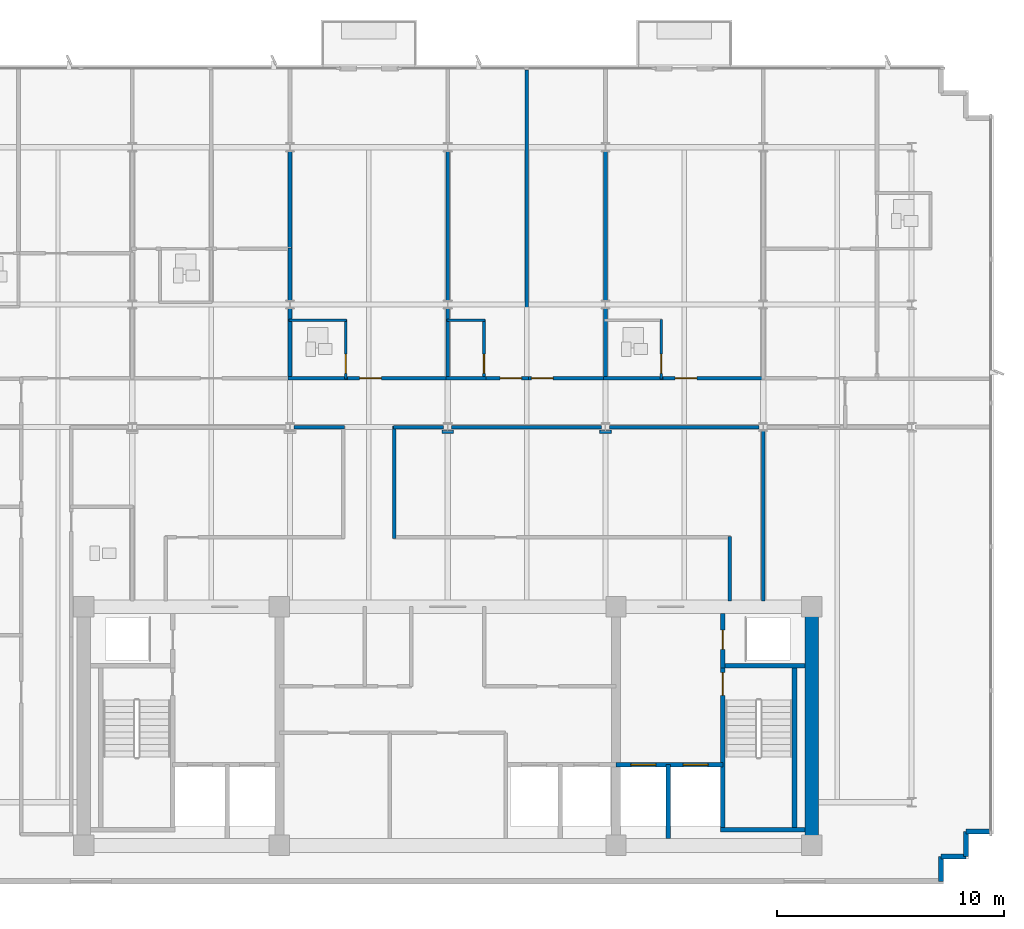
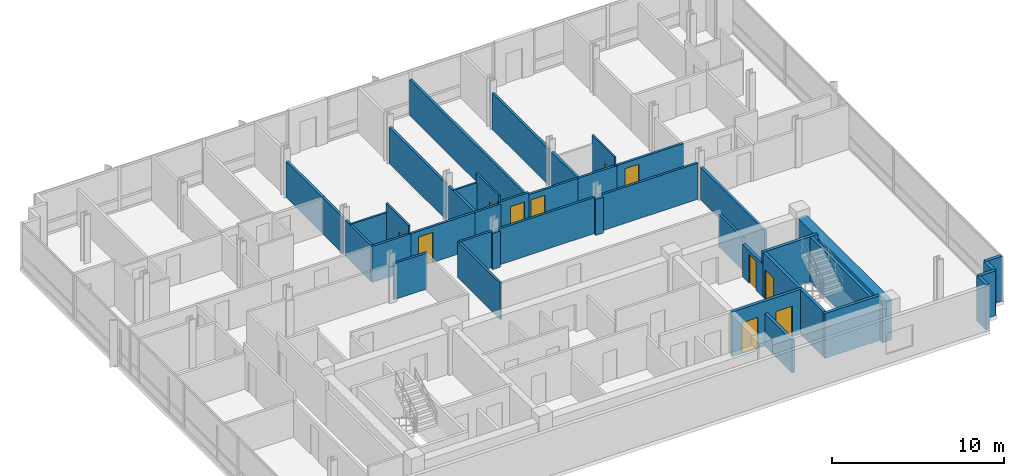
# One storey, part 10 of 14: 41 walls, 11 doors, 11 openings.
"""IFC4 building model written with IfcOpenShell, lengths in metres."""

from ifc_helpers import new_model, si_unit, direction, frame, frame_2d, origin, place, context, subcontext, project, spatial, rectangle, extrude, material, layer, layer_set, type_object, element, fill, save


model = new_model("IFC4")

# Units and contexts
model_context = context("Model", 3, precision=1e-05, world=origin(), true_north=direction((0.0, 1.0)))
body_context = subcontext(model_context, "Body", "Model", "MODEL_VIEW")
ifc_project = project(units=[si_unit("LENGTHUNIT", "METRE"), si_unit("AREAUNIT", "SQUARE_METRE"), si_unit("VOLUMEUNIT", "CUBIC_METRE"), si_unit("PLANEANGLEUNIT", "RADIAN"), si_unit("MASSUNIT", "GRAM", prefix="KILO")], contexts=[model_context])

# Site, building, storey
site_placement = place(None, origin())
site = spatial("IfcSite", under=ifc_project, at=site_placement, CompositionType="ELEMENT")
building_placement = place(site_placement, origin())
building = spatial("IfcBuilding", under=site, at=building_placement, Name="Solmavex Isthmus Hotel", CompositionType="ELEMENT")
storey_placement = place(building_placement, frame((0.0, 0.0, 252.300048828125)))
storey = spatial("IfcBuildingStorey", under=building, at=storey_placement, Name="L68", CompositionType="ELEMENT", Elevation=252.300048828125)

# Walls
ifc_material_1 = material(Name="Precast Concrete C40/50", Category="concrete")
ifc_layer_1 = layer(ifc_material_1, 0.25)
ifc_layer_set_1 = layer_set([ifc_layer_1], Name="Precast Concrete C40/50")
wall_type_1 = type_object("IfcWallType", Name="EW-TWR-250", PredefinedType="STANDARD", material=ifc_layer_set_1)
wall_1_placement = place(storey_placement, frame((23.889892578125, -12.389892578125, 0.0), z_axis=(0.0, 0.0, 1.0), x_axis=(-1.0, 0.0, 0.0)))
element("IfcWall", 1, at=wall_1_placement, inside=storey, type_object=wall_type_1, Name="Serrated Corner Facade Panel L68-16", PredefinedType="STANDARD", context=body_context, shape_type="SweptSolid", body=[
    extrude(rectangle(XDim=1.099853515625, YDim=0.219970703125, at=frame_2d((0.5498046875, 0.0))), origin(), (0.0, 0.0, 1.0), 3.18994140625),
])
for number, where, z_axis, x_axis, name in (
    (2, (22.7900390625, -12.389892578125, 0.0), (0.0, 0.0, 1.0), (0.0, -1.0, 0.0), "Serrated Corner Facade Panel L68-17"),
    (3, (22.7900390625, -13.489990234375, 0.0), (0.0, 0.0, 1.0), (-1.0, 0.0, 0.0), "Serrated Corner Facade Panel L68-18"),
    (4, (21.68994140625, -13.489990234375, 0.0), (0.0, 0.0, 1.0), (0.0, -1.0, 0.0), "Serrated Corner Facade Panel L68-19"),
):
    element("IfcWall", number, at=place(storey_placement, frame(where, z_axis=z_axis, x_axis=x_axis)), inside=storey, type_object=wall_type_1, Name=name, PredefinedType="STANDARD", context=body_context, shape_type="SweptSolid", body=[
        extrude(rectangle(XDim=1.10009765625, YDim=0.219970703125, at=frame_2d((0.550048828125, 0.0))), origin(), (0.0, 0.0, 1.0), 3.18994140625),
    ])
ifc_material_2 = material(Name="Gypsum plasterboard lining", Category="gypsum")
ifc_layer_2 = layer(ifc_material_2, 0.159912109375)
ifc_layer_set_2 = layer_set([ifc_layer_2], Name="Gypsum plasterboard lining")
wall_type_2 = type_object("IfcWallType", Name="IW-COMP-160", PredefinedType="PARTITIONING", material=ifc_layer_set_2)
wall_2_placement = place(storey_placement, frame((-6.93603515625, 10.613037109375, 0.0), z_axis=(0.0, 0.0, 1.0), x_axis=(0.0, -1.0, 0.0)))
element("IfcWall", 5, at=wall_2_placement, inside=storey, type_object=wall_type_2, Name="Interior Partition Wall W-L68-P055", PredefinedType="PARTITIONING", context=body_context, shape_type="SweptSolid", body=[
    extrude(rectangle(XDim=3.10302734375, YDim=0.159912109375, at=frame_2d((1.551513671875, 0.0))), origin(), (0.0, 0.0, 1.0), 2.572265625),
])
wall_3_placement = place(storey_placement, frame((-6.93603515625, 13.278076171875, 0.0), z_axis=(0.0, 0.0, 1.0), x_axis=(0.0, -1.0, 0.0)))
element("IfcWall", 6, at=wall_3_placement, inside=storey, type_object=wall_type_2, Name="Interior Partition Wall W-L68-P056", PredefinedType="PARTITIONING", context=body_context, shape_type="SweptSolid", body=[
    extrude(rectangle(XDim=2.315185546875, YDim=0.159912109375, at=frame_2d((1.15771484375, 0.0))), origin(), (0.0, 0.0, 1.0), 2.572265625),
])
wall_4_placement = place(storey_placement, frame((-6.93603515625, 17.52490234375, 0.0), z_axis=(0.0, 0.0, 1.0), x_axis=(0.0, -1.0, 0.0)))
element("IfcWall", 7, at=wall_4_placement, inside=storey, type_object=wall_type_2, Name="Interior Partition Wall W-L68-P059", PredefinedType="PARTITIONING", context=body_context, shape_type="SweptSolid", body=[
    extrude(rectangle(XDim=4.326904296875, YDim=0.159912109375, at=frame_2d((2.16357421875, 0.0))), origin(), (0.0, 0.0, 1.0), 2.572265625),
])
wall_5_placement = place(storey_placement, frame((0.0, 10.613037109375, 0.0), z_axis=(0.0, 0.0, 1.0), x_axis=(0.0, -1.0, 0.0)))
element("IfcWall", 8, at=wall_5_placement, inside=storey, type_object=wall_type_2, Name="Interior Partition Wall W-L68-P063", PredefinedType="PARTITIONING", context=body_context, shape_type="SweptSolid", body=[
    extrude(rectangle(XDim=3.10302734375, YDim=0.159912109375, at=frame_2d((1.551513671875, 0.0))), origin(), (0.0, 0.0, 1.0), 2.572265625),
])
wall_6_placement = place(storey_placement, frame((0.0, 17.52490234375, 0.0), z_axis=(0.0, 0.0, 1.0), x_axis=(0.0, -1.0, 0.0)))
element("IfcWall", 9, at=wall_6_placement, inside=storey, type_object=wall_type_2, Name="Interior Partition Wall W-L68-P064", PredefinedType="PARTITIONING", context=body_context, shape_type="SweptSolid", body=[
    extrude(rectangle(XDim=6.56201171875, YDim=0.159912109375, at=frame_2d((3.281005859375, 0.0))), origin(), (0.0, 0.0, 1.0), 2.572265625),
])
wall_7_placement = place(storey_placement, frame((3.468017578125, 21.10009765625, 0.0), z_axis=(0.0, 0.0, 1.0), x_axis=(0.0, -1.0, 0.0)))
element("IfcWall", 10, at=wall_7_placement, inside=storey, type_object=wall_type_2, Name="Interior Partition Wall W-L68-P068", PredefinedType="PARTITIONING", context=body_context, shape_type="SweptSolid", body=[
    extrude(rectangle(XDim=13.590087890625, YDim=0.159912109375, at=frame_2d((6.794921875, 0.0))), origin(), (0.0, 0.0, 1.0), 2.557373046875),
])
wall_8_placement = place(storey_placement, frame((6.93603515625, 10.613037109375, 0.0), z_axis=(0.0, 0.0, 1.0), x_axis=(0.0, -1.0, 0.0)))
element("IfcWall", 11, at=wall_8_placement, inside=storey, type_object=wall_type_2, Name="Interior Partition Wall W-L68-P069", PredefinedType="PARTITIONING", context=body_context, shape_type="SweptSolid", body=[
    extrude(rectangle(XDim=3.10302734375, YDim=0.159912109375, at=frame_2d((1.551513671875, 0.0))), origin(), (0.0, 0.0, 1.0), 2.572265625),
])
wall_9_placement = place(storey_placement, frame((6.93603515625, 17.52490234375, 0.0), z_axis=(0.0, 0.0, 1.0), x_axis=(0.0, -1.0, 0.0)))
element("IfcWall", 12, at=wall_9_placement, inside=storey, type_object=wall_type_2, Name="Interior Partition Wall W-L68-P070", PredefinedType="PARTITIONING", context=body_context, shape_type="SweptSolid", body=[
    extrude(rectangle(XDim=6.56201171875, YDim=0.159912109375, at=frame_2d((3.281005859375, 0.0))), origin(), (0.0, 0.0, 1.0), 2.572265625),
])
wall_10_placement = place(storey_placement, frame((13.8720703125, 5.22509765625, 0.0), z_axis=(0.0, 0.0, 1.0), x_axis=(0.0, -1.0, 0.0)))
element("IfcWall", 13, at=wall_10_placement, inside=storey, type_object=wall_type_2, Name="Interior Partition Wall W-L68-P095", PredefinedType="PARTITIONING", context=body_context, shape_type="SweptSolid", body=[
    extrude(rectangle(XDim=7.465087890625, YDim=0.159912109375, at=frame_2d((3.732421875, 0.0))), origin(), (0.0, 0.0, 1.0), 2.324951171875),
])

# Wall, opening, door
ifc_layer_3 = layer(ifc_material_2, 0.14990234375)
ifc_layer_set_3 = layer_set([ifc_layer_3], Name="Gypsum plasterboard lining")
wall_type_3 = type_object("IfcWallType", Name="IW-CORR-150", PredefinedType="PARTITIONING", material=ifc_layer_set_3)
wall_11_placement = place(storey_placement, frame((-4.568115234375, 7.550048828125, 0.0), z_axis=(0.0, 0.0, 1.0), x_axis=(1.0, 0.0, 0.0)))
wall_11 = element("IfcWall", 14, at=wall_11_placement, inside=storey, type_object=wall_type_3, Name="Interior Partition Wall W-L68-P003", PredefinedType="PARTITIONING", context=body_context, shape_type="SweptSolid", body=[
    extrude(rectangle(XDim=4.650146484375, YDim=0.14990234375, at=frame_2d((2.3251953125, 0.0))), origin(), (0.0, 0.0, 1.0), 2.572265625),
])
opening_1_placement = place(wall_11_placement, frame((0.698486328125, 0.0, 0.0)))
opening_1 = element("IfcOpeningElement", 15, at=opening_1_placement, cuts=wall_11, Name="Opening ID-C095", PredefinedType="OPENING", context=body_context, shape_type="SweptSolid", body=[
    extrude(rectangle(XDim=0.949951171875, YDim=2.14990234375, at=frame_2d((0.47509765625, 1.074951171875))), frame((0.0, 0.0849609375, 0.0), z_axis=(0.0, -1.0, 0.0), x_axis=(1.0, 0.0, 0.0)), (0.0, 0.0, 1.0), 0.169921875),
])
ifc_material_3 = material(Name="Hardwood timber", Category="wood")
door_type_1 = type_object("IfcDoorType", Name="IDR-FD60-0950", OperationType="NOTDEFINED", PredefinedType="DOOR", material=ifc_material_3)
door_1_placement = place(opening_1_placement, origin())
door_1 = element("IfcDoor", 16, at=door_1_placement, inside=storey, type_object=door_type_1, Name="Premier Suite Door L68-09", OperationType="SINGLE_SWING_LEFT", OverallHeight=2.14990234375, OverallWidth=0.949951171875, PredefinedType="DOOR", context=body_context, shape_type="SweptSolid", body=[
    extrude(rectangle(XDim=0.949951171875, YDim=2.14990234375, at=frame_2d((0.47509765625, 1.074951171875))), frame((0.0, 0.02490234375, 0.0), z_axis=(0.0, -1.0, 0.0), x_axis=(1.0, 0.0, 0.0)), (0.0, 0.0, 1.0), 0.050048828125),
])
fill(opening_1, door_1)

# Wall
wall_12_placement = place(storey_placement, frame((-7.01806640625, 7.550048828125, 0.0), z_axis=(0.0, 0.0, 1.0), x_axis=(1.0, 0.0, 0.0)))
element("IfcWall", 17, at=wall_12_placement, inside=storey, type_object=wall_type_3, Name="Interior Partition Wall W-L68-P004", PredefinedType="PARTITIONING", context=body_context, shape_type="SweptSolid", body=[
    extrude(rectangle(XDim=2.614013671875, YDim=0.14990234375, at=frame_2d((1.30712890625, 0.0))), origin(), (0.0, 0.0, 1.0), 2.572265625),
])

# Wall, opening, door
wall_13_placement = place(storey_placement, frame((1.51318359375, 7.550048828125, 0.0), z_axis=(0.0, 0.0, 1.0), x_axis=(1.0, 0.0, 0.0)))
wall_13 = element("IfcWall", 18, at=wall_13_placement, inside=storey, type_object=wall_type_3, Name="Interior Partition Wall W-L68-P005", PredefinedType="PARTITIONING", context=body_context, shape_type="SweptSolid", body=[
    extrude(rectangle(XDim=2.036865234375, YDim=0.14990234375, at=frame_2d((1.0185546875, 0.0))), origin(), (0.0, 0.0, 1.0), 2.718017578125),
])
opening_2_placement = place(wall_13_placement, frame((0.789794921875, 0.0, 0.0)))
opening_2 = element("IfcOpeningElement", 19, at=opening_2_placement, cuts=wall_13, Name="Opening ID-C095", PredefinedType="OPENING", context=body_context, shape_type="SweptSolid", body=[
    extrude(rectangle(XDim=0.949951171875, YDim=2.14990234375, at=frame_2d((0.47509765625, 1.074951171875))), frame((0.0, 0.0849609375, 0.0), z_axis=(0.0, -1.0, 0.0), x_axis=(1.0, 0.0, 0.0)), (0.0, 0.0, 1.0), 0.169921875),
])
door_2_placement = place(opening_2_placement, origin())
door_2 = element("IfcDoor", 20, at=door_2_placement, inside=storey, type_object=door_type_1, Name="Diplomatic Suite Door L68-11", OperationType="SINGLE_SWING_LEFT", OverallHeight=2.14990234375, OverallWidth=0.949951171875, PredefinedType="DOOR", context=body_context, shape_type="SweptSolid", body=[
    extrude(rectangle(XDim=0.949951171875, YDim=2.14990234375, at=frame_2d((0.47509765625, 1.074951171875))), frame((0.0, 0.02490234375, 0.0), z_axis=(0.0, -1.0, 0.0), x_axis=(1.0, 0.0, 0.0)), (0.0, 0.0, 1.0), 0.050048828125),
])
fill(opening_2, door_2)

# Wall
wall_14_placement = place(storey_placement, frame((-0.08203125, 7.550048828125, 0.0), z_axis=(0.0, 0.0, 1.0), x_axis=(1.0, 0.0, 0.0)))
element("IfcWall", 21, at=wall_14_placement, inside=storey, type_object=wall_type_3, Name="Interior Partition Wall W-L68-P006", PredefinedType="PARTITIONING", context=body_context, shape_type="SweptSolid", body=[
    extrude(rectangle(XDim=1.75927734375, YDim=0.14990234375, at=frame_2d((0.879638671875, 0.0))), origin(), (0.0, 0.0, 1.0), 2.572265625),
])

# Wall, opening, door
wall_15_placement = place(storey_placement, frame((3.385986328125, 7.550048828125, 0.0), z_axis=(0.0, 0.0, 1.0), x_axis=(1.0, 0.0, 0.0)))
wall_15 = element("IfcWall", 22, at=wall_15_placement, inside=storey, type_object=wall_type_3, Name="Interior Partition Wall W-L68-P007", PredefinedType="PARTITIONING", context=body_context, shape_type="SweptSolid", body=[
    extrude(rectangle(XDim=3.632080078125, YDim=0.14990234375, at=frame_2d((1.81591796875, 0.0))), origin(), (0.0, 0.0, 1.0), 2.572265625),
])
opening_3_placement = place(wall_15_placement, frame((0.296630859375, 0.0, 0.0)))
opening_3 = element("IfcOpeningElement", 23, at=opening_3_placement, cuts=wall_15, Name="Opening ID-C095", PredefinedType="OPENING", context=body_context, shape_type="SweptSolid", body=[
    extrude(rectangle(XDim=0.949951171875, YDim=2.14990234375, at=frame_2d((0.47509765625, 1.074951171875))), frame((0.0, 0.0849609375, 0.0), z_axis=(0.0, -1.0, 0.0), x_axis=(1.0, 0.0, 0.0)), (0.0, 0.0, 1.0), 0.169921875),
])
door_3_placement = place(opening_3_placement, origin())
door_3 = element("IfcDoor", 24, at=door_3_placement, inside=storey, type_object=door_type_1, Name="Hospitality Club Lounge Door L68-13", OperationType="SINGLE_SWING_LEFT", OverallHeight=2.14990234375, OverallWidth=0.949951171875, PredefinedType="DOOR", context=body_context, shape_type="SweptSolid", body=[
    extrude(rectangle(XDim=0.949951171875, YDim=2.14990234375, at=frame_2d((0.47509765625, 1.074951171875))), frame((0.0, 0.02490234375, 0.0), z_axis=(0.0, -1.0, 0.0), x_axis=(1.0, 0.0, 0.0)), (0.0, 0.0, 1.0), 0.050048828125),
])
fill(opening_3, door_3)

wall_16_placement = place(storey_placement, frame((9.303955078125, 7.550048828125, 0.0), z_axis=(0.0, 0.0, 1.0), x_axis=(1.0, 0.0, 0.0)))
wall_16 = element("IfcWall", 25, at=wall_16_placement, inside=storey, type_object=wall_type_3, Name="Interior Partition Wall W-L68-P008", PredefinedType="PARTITIONING", context=body_context, shape_type="SweptSolid", body=[
    extrude(rectangle(XDim=4.650146484375, YDim=0.14990234375, at=frame_2d((2.3251953125, 0.0))), origin(), (0.0, 0.0, 1.0), 2.572265625),
])
opening_4_placement = place(wall_16_placement, frame((0.698486328125, 0.0, 0.0)))
opening_4 = element("IfcOpeningElement", 26, at=opening_4_placement, cuts=wall_16, Name="Opening ID-C095", PredefinedType="OPENING", context=body_context, shape_type="SweptSolid", body=[
    extrude(rectangle(XDim=0.949951171875, YDim=2.14990234375, at=frame_2d((0.47509765625, 1.074951171875))), frame((0.0, 0.0849609375, 0.0), z_axis=(0.0, -1.0, 0.0), x_axis=(1.0, 0.0, 0.0)), (0.0, 0.0, 1.0), 0.169921875),
])
door_4_placement = place(opening_4_placement, origin())
door_4 = element("IfcDoor", 27, at=door_4_placement, inside=storey, type_object=door_type_1, Name="Premier Suite Door L68-14", OperationType="SINGLE_SWING_RIGHT", OverallHeight=2.14990234375, OverallWidth=0.949951171875, PredefinedType="DOOR", context=body_context, shape_type="SweptSolid", body=[
    extrude(rectangle(XDim=0.949951171875, YDim=2.14990234375, at=frame_2d((0.47509765625, 1.074951171875))), frame((0.0, 0.02490234375, 0.0), z_axis=(0.0, -1.0, 0.0), x_axis=(1.0, 0.0, 0.0)), (0.0, 0.0, 1.0), 0.050048828125),
])
fill(opening_4, door_4)

# Walls
wall_17_placement = place(storey_placement, frame((6.85400390625, 7.550048828125, 0.0), z_axis=(0.0, 0.0, 1.0), x_axis=(1.0, 0.0, 0.0)))
element("IfcWall", 28, at=wall_17_placement, inside=storey, type_object=wall_type_3, Name="Interior Partition Wall W-L68-P009", PredefinedType="PARTITIONING", context=body_context, shape_type="SweptSolid", body=[
    extrude(rectangle(XDim=2.614013671875, YDim=0.14990234375, at=frame_2d((1.30712890625, 0.0))), origin(), (0.0, 0.0, 1.0), 2.572265625),
])
wall_18_placement = place(storey_placement, frame((-4.548095703125, 5.39990234375, 0.0), z_axis=(0.0, 0.0, 1.0), x_axis=(-1.0, 0.0, 0.0)))
element("IfcWall", 29, at=wall_18_placement, inside=storey, type_object=wall_type_3, Name="Interior Partition Wall W-L68-P019", PredefinedType="PARTITIONING", context=body_context, shape_type="SweptSolid", body=[
    extrude(rectangle(XDim=2.212890625, YDim=0.14990234375, at=frame_2d((1.1064453125, 0.0))), origin(), (0.0, 0.0, 1.0), 2.572265625),
])
wall_19_placement = place(storey_placement, frame((13.697021484375, 5.39990234375, 0.0), z_axis=(0.0, 0.0, 1.0), x_axis=(-1.0, 0.0, 0.0)))
element("IfcWall", 30, at=wall_19_placement, inside=storey, type_object=wall_type_3, Name="Interior Partition Wall W-L68-P025", PredefinedType="PARTITIONING", context=body_context, shape_type="SweptSolid", body=[
    extrude(rectangle(XDim=6.5859375, YDim=0.14990234375, at=frame_2d((3.29296875, 0.0))), origin(), (0.0, 0.0, 1.0), 2.572265625),
])
wall_20_placement = place(storey_placement, frame((7.19091796875, 5.18505859375, 0.0), z_axis=(0.0, 0.0, 1.0), x_axis=(-1.0, 0.0, 0.0)))
element("IfcWall", 31, at=wall_20_placement, inside=storey, type_object=wall_type_3, Name="Interior Partition Wall W-L68-P026", PredefinedType="PARTITIONING", context=body_context, shape_type="SweptSolid", body=[
    extrude(rectangle(XDim=0.510009765625, YDim=0.14990234375, at=frame_2d((0.2548828125, 0.0))), origin(), (0.0, 0.0, 1.0), 2.572265625),
])
wall_21_placement = place(storey_placement, frame((6.760986328125, 5.39990234375, 0.0), z_axis=(0.0, 0.0, 1.0), x_axis=(-1.0, 0.0, 0.0)))
element("IfcWall", 32, at=wall_21_placement, inside=storey, type_object=wall_type_3, Name="Interior Partition Wall W-L68-P027", PredefinedType="PARTITIONING", context=body_context, shape_type="SweptSolid", body=[
    extrude(rectangle(XDim=6.5859375, YDim=0.14990234375, at=frame_2d((3.29296875, 0.0))), origin(), (0.0, 0.0, 1.0), 2.572265625),
])
wall_22_placement = place(storey_placement, frame((0.2548828125, 5.18505859375, 0.0), z_axis=(0.0, 0.0, 1.0), x_axis=(-1.0, 0.0, 0.0)))
element("IfcWall", 33, at=wall_22_placement, inside=storey, type_object=wall_type_3, Name="Interior Partition Wall W-L68-P028", PredefinedType="PARTITIONING", context=body_context, shape_type="SweptSolid", body=[
    extrude(rectangle(XDim=0.509765625, YDim=0.14990234375, at=frame_2d((0.2548828125, 0.0))), origin(), (0.0, 0.0, 1.0), 2.572265625),
])
wall_23_placement = place(storey_placement, frame((-0.175048828125, 5.39990234375, 0.0), z_axis=(0.0, 0.0, 1.0), x_axis=(-1.0, 0.0, 0.0)))
element("IfcWall", 34, at=wall_23_placement, inside=storey, type_object=wall_type_3, Name="Interior Partition Wall W-L68-P029", PredefinedType="PARTITIONING", context=body_context, shape_type="SweptSolid", body=[
    extrude(rectangle(XDim=2.212890625, YDim=0.14990234375, at=frame_2d((1.1064453125, 0.0))), origin(), (0.0, 0.0, 1.0), 2.572265625),
])
wall_24_placement = place(storey_placement, frame((-2.347900390625, 5.43994140625, 0.0), z_axis=(0.0, 0.0, 1.0), x_axis=(0.0, -1.0, 0.0)))
element("IfcWall", 35, at=wall_24_placement, inside=storey, type_object=wall_type_3, Name="Interior Partition Wall W-L68-P030", PredefinedType="PARTITIONING", context=body_context, shape_type="SweptSolid", body=[
    extrude(rectangle(XDim=4.929931640625, YDim=0.14990234375, at=frame_2d((2.46484375, 0.0))), origin(), (0.0, 0.0, 1.0), 2.572265625),
])
wall_25_placement = place(storey_placement, frame((12.39990234375, 0.590087890625, 0.0), z_axis=(0.0, 0.0, 1.0), x_axis=(0.0, -1.0, 0.0)))
element("IfcWall", 36, at=wall_25_placement, inside=storey, type_object=wall_type_3, Name="Interior Partition Wall W-L68-P032", PredefinedType="PARTITIONING", context=body_context, shape_type="SweptSolid", body=[
    extrude(rectangle(XDim=2.830078125, YDim=0.14990234375, at=frame_2d((1.4150390625, 0.0))), origin(), (0.0, 0.0, 1.0), 2.324951171875),
])

# Wall, opening, door
ifc_layer_4 = layer(ifc_material_2, 0.1201171875)
ifc_layer_set_4 = layer_set([ifc_layer_4], Name="Gypsum plasterboard lining")
wall_type_4 = type_object("IfcWallType", Name="IW-PART-120", PredefinedType="PARTITIONING", material=ifc_layer_set_4)
wall_26_placement = place(storey_placement, frame((-4.486083984375, 7.510009765625, 0.0), z_axis=(0.0, 0.0, 1.0), x_axis=(0.0, 1.0, 0.0)))
wall_26 = element("IfcWall", 37, at=wall_26_placement, inside=storey, type_object=wall_type_4, Name="Interior Partition Wall W-L68-P061", PredefinedType="PARTITIONING", context=body_context, shape_type="SweptSolid", body=[
    extrude(rectangle(XDim=2.6298828125, YDim=0.1201171875, at=frame_2d((1.31494140625, 0.0))), origin(), (0.0, 0.0, 1.0), 3.18994140625),
])
opening_5_placement = place(wall_26_placement, frame((0.247314453125, 0.0, 0.0)))
opening_5 = element("IfcOpeningElement", 38, at=opening_5_placement, cuts=wall_26, Name="Opening ID-U085", PredefinedType="OPENING", context=body_context, shape_type="SweptSolid", body=[
    extrude(rectangle(XDim=0.85009765625, YDim=2.10009765625, at=frame_2d((0.425048828125, 1.050048828125))), frame((0.0, 0.070068359375, 0.0), z_axis=(0.0, -1.0, 0.0), x_axis=(1.0, 0.0, 0.0)), (0.0, 0.0, 1.0), 0.14013671875),
])
door_type_2 = type_object("IfcDoorType", Name="IDR-UNR-0850", OperationType="NOTDEFINED", PredefinedType="DOOR", material=ifc_material_3)
door_5_placement = place(opening_5_placement, frame((0.85009765625, 0.0, 0.0), z_axis=(0.0, 0.0, 1.0), x_axis=(-1.0, 0.0, 0.0)))
door_5 = element("IfcDoor", 39, at=door_5_placement, inside=storey, type_object=door_type_2, Name="En-suite Bathroom Door L68-10", OperationType="SINGLE_SWING_RIGHT", OverallHeight=2.10009765625, OverallWidth=0.85009765625, PredefinedType="DOOR", context=body_context, shape_type="SweptSolid", body=[
    extrude(rectangle(XDim=0.85009765625, YDim=2.10009765625, at=frame_2d((0.425048828125, 1.050048828125))), frame((0.0, 0.02490234375, 0.0), z_axis=(0.0, -1.0, 0.0), x_axis=(1.0, 0.0, 0.0)), (0.0, 0.0, 1.0), 0.050048828125),
])
fill(opening_5, door_5)

# Wall
wall_27_placement = place(storey_placement, frame((-4.446044921875, 10.10009765625, 0.0), z_axis=(0.0, 0.0, 1.0), x_axis=(-1.0, 0.0, 0.0)))
element("IfcWall", 40, at=wall_27_placement, inside=storey, type_object=wall_type_4, Name="Interior Partition Wall W-L68-P062", PredefinedType="PARTITIONING", context=body_context, shape_type="SweptSolid", body=[
    extrude(rectangle(XDim=2.530029296875, YDim=0.1201171875, at=frame_2d((1.26513671875, 0.0))), origin(), (0.0, 0.0, 1.0), 2.572265625),
])

# Wall, opening, door
wall_28_placement = place(storey_placement, frame((1.59521484375, 7.510009765625, 0.0), z_axis=(0.0, 0.0, 1.0), x_axis=(0.0, 1.0, 0.0)))
wall_28 = element("IfcWall", 41, at=wall_28_placement, inside=storey, type_object=wall_type_4, Name="Interior Partition Wall W-L68-P066", PredefinedType="PARTITIONING", context=body_context, shape_type="SweptSolid", body=[
    extrude(rectangle(XDim=2.6298828125, YDim=0.1201171875, at=frame_2d((1.31494140625, 0.0))), origin(), (0.0, 0.0, 1.0), 3.18994140625),
])
opening_6_placement = place(wall_28_placement, frame((0.247314453125, 0.0, 0.0)))
opening_6 = element("IfcOpeningElement", 42, at=opening_6_placement, cuts=wall_28, Name="Opening ID-U085", PredefinedType="OPENING", context=body_context, shape_type="SweptSolid", body=[
    extrude(rectangle(XDim=0.85009765625, YDim=2.10009765625, at=frame_2d((0.425048828125, 1.050048828125))), frame((0.0, 0.070068359375, 0.0), z_axis=(0.0, -1.0, 0.0), x_axis=(1.0, 0.0, 0.0)), (0.0, 0.0, 1.0), 0.14013671875),
])
door_6_placement = place(opening_6_placement, frame((0.85009765625, 0.0, 0.0), z_axis=(0.0, 0.0, 1.0), x_axis=(-1.0, 0.0, 0.0)))
door_6 = element("IfcDoor", 43, at=door_6_placement, inside=storey, type_object=door_type_2, Name="En-suite Bathroom Door L68-12", OperationType="SINGLE_SWING_RIGHT", OverallHeight=2.10009765625, OverallWidth=0.85009765625, PredefinedType="DOOR", context=body_context, shape_type="SweptSolid", body=[
    extrude(rectangle(XDim=0.85009765625, YDim=2.10009765625, at=frame_2d((0.425048828125, 1.050048828125))), frame((0.0, 0.02490234375, 0.0), z_axis=(0.0, -1.0, 0.0), x_axis=(1.0, 0.0, 0.0)), (0.0, 0.0, 1.0), 0.050048828125),
])
fill(opening_6, door_6)

# Wall
wall_29_placement = place(storey_placement, frame((1.63525390625, 10.10009765625, 0.0), z_axis=(0.0, 0.0, 1.0), x_axis=(-1.0, 0.0, 0.0)))
element("IfcWall", 44, at=wall_29_placement, inside=storey, type_object=wall_type_4, Name="Interior Partition Wall W-L68-P067", PredefinedType="PARTITIONING", context=body_context, shape_type="SweptSolid", body=[
    extrude(rectangle(XDim=1.67529296875, YDim=0.1201171875, at=frame_2d((0.837646484375, 0.0))), origin(), (0.0, 0.0, 1.0), 2.572265625),
])

# Wall, opening, door
wall_30_placement = place(storey_placement, frame((9.385986328125, 7.510009765625, 0.0), z_axis=(0.0, 0.0, 1.0), x_axis=(0.0, 1.0, 0.0)))
wall_30 = element("IfcWall", 45, at=wall_30_placement, inside=storey, type_object=wall_type_4, Name="Interior Partition Wall W-L68-P072", PredefinedType="PARTITIONING", context=body_context, shape_type="SweptSolid", body=[
    extrude(rectangle(XDim=2.6298828125, YDim=0.1201171875, at=frame_2d((1.31494140625, 0.0))), origin(), (0.0, 0.0, 1.0), 3.18994140625),
])
opening_7_placement = place(wall_30_placement, frame((0.247314453125, 0.0, 0.0)))
opening_7 = element("IfcOpeningElement", 46, at=opening_7_placement, cuts=wall_30, Name="Opening ID-U085", PredefinedType="OPENING", context=body_context, shape_type="SweptSolid", body=[
    extrude(rectangle(XDim=0.85009765625, YDim=2.10009765625, at=frame_2d((0.425048828125, 1.050048828125))), frame((0.0, 0.070068359375, 0.0), z_axis=(0.0, -1.0, 0.0), x_axis=(1.0, 0.0, 0.0)), (0.0, 0.0, 1.0), 0.14013671875),
])
door_7_placement = place(opening_7_placement, frame((0.85009765625, 0.0, 0.0), z_axis=(0.0, 0.0, 1.0), x_axis=(-1.0, 0.0, 0.0)))
door_7 = element("IfcDoor", 47, at=door_7_placement, inside=storey, type_object=door_type_2, Name="En-suite Bathroom Door L68-15", OperationType="SINGLE_SWING_LEFT", OverallHeight=2.10009765625, OverallWidth=0.85009765625, PredefinedType="DOOR", context=body_context, shape_type="SweptSolid", body=[
    extrude(rectangle(XDim=0.85009765625, YDim=2.10009765625, at=frame_2d((0.425048828125, 1.050048828125))), frame((0.0, 0.02490234375, 0.0), z_axis=(0.0, -1.0, 0.0), x_axis=(1.0, 0.0, 0.0)), (0.0, 0.0, 1.0), 0.050048828125),
])
fill(opening_7, door_7)

ifc_material_4 = material(Name="Concrete C40/50", Category="concrete")
ifc_layer_5 = layer(ifc_material_4, 0.199951171875)
ifc_layer_set_5 = layer_set([ifc_layer_5], Name="Concrete C40/50")
wall_type_5 = type_object("IfcWallType", Name="IW-SHAFT-200", PredefinedType="PARTITIONING", material=ifc_layer_set_5)
wall_31_placement = place(storey_placement, frame((12.10009765625, -5.199951171875, 0.0), z_axis=(0.0, 0.0, 1.0), x_axis=(0.0, 1.0, 0.0)))
wall_31 = element("IfcWall", 48, at=wall_31_placement, inside=storey, type_object=wall_type_5, Name="Interior Partition Wall W-L68-RSE-W", PredefinedType="PARTITIONING", context=body_context, shape_type="SweptSolid", body=[
    extrude(rectangle(XDim=2.39990234375, YDim=0.199951171875, at=frame_2d((1.199951171875, 0.0))), origin(), (0.0, 0.0, 1.0), 2.324951171875),
])
opening_8_placement = place(wall_31_placement, frame((0.824951171875, 0.0, 0.0)))
opening_8 = element("IfcOpeningElement", 49, at=opening_8_placement, cuts=wall_31, Name="Opening ID-R085", PredefinedType="OPENING", context=body_context, shape_type="SweptSolid", body=[
    extrude(rectangle(XDim=0.85009765625, YDim=2.050048828125, at=frame_2d((0.425048828125, 1.02490234375))), frame((0.0, 0.10986328125, 0.0), z_axis=(0.0, -1.0, 0.0), x_axis=(1.0, 0.0, 0.0)), (0.0, 0.0, 1.0), 0.219970703125),
])
ifc_material_5 = material(Name="Steel ASTM A500 Grade C", Category="steel")
door_type_3 = type_object("IfcDoorType", Name="IDR-FD60-0850", OperationType="NOTDEFINED", PredefinedType="DOOR", material=ifc_material_5)
door_8_placement = place(opening_8_placement, frame((0.85009765625, 0.0, 0.0), z_axis=(0.0, 0.0, 1.0), x_axis=(-1.0, 0.0, 0.0)))
door_8 = element("IfcDoor", 50, at=door_8_placement, inside=storey, type_object=door_type_3, Name="Mechanical Riser Door L68", OperationType="SINGLE_SWING_LEFT", OverallHeight=2.050048828125, OverallWidth=0.85009765625, PredefinedType="DOOR", context=body_context, shape_type="SweptSolid", body=[
    extrude(rectangle(XDim=0.85009765625, YDim=2.050048828125, at=frame_2d((0.425048828125, 1.02490234375))), frame((0.0, 0.02490234375, 0.0), z_axis=(0.0, -1.0, 0.0), x_axis=(1.0, 0.0, 0.0)), (0.0, 0.0, 1.0), 0.050048828125),
])
fill(opening_8, door_8)

# Wall, openings, doors
wall_32_placement = place(storey_placement, frame((7.39990234375, -9.449951171875, 0.0), z_axis=(0.0, 0.0, 1.0), x_axis=(1.0, 0.0, 0.0)))
wall_32 = element("IfcWall", 51, at=wall_32_placement, inside=storey, type_object=wall_type_5, Name="Interior Partition Wall W-L68-FFLE-S", PredefinedType="PARTITIONING", context=body_context, shape_type="SweptSolid", body=[
    extrude(rectangle(XDim=4.7001953125, YDim=0.199951171875, at=frame_2d((2.35009765625, 0.0))), origin(), (0.0, 0.0, 1.0), 3.18994140625),
])
opening_9_placement = place(wall_32_placement, frame((2.949951171875, 0.0, 0.0)))
opening_9 = element("IfcOpeningElement", 52, at=opening_9_placement, cuts=wall_32, Name="Opening LD-FF", PredefinedType="OPENING", context=body_context, shape_type="SweptSolid", body=[
    extrude(rectangle(XDim=1.10009765625, YDim=2.199951171875, at=frame_2d((0.550048828125, 1.10009765625))), frame((0.0, 0.10986328125, 0.0), z_axis=(0.0, -1.0, 0.0), x_axis=(1.0, 0.0, 0.0)), (0.0, 0.0, 1.0), 0.219970703125),
])
opening_10_placement = place(wall_32_placement, frame((0.64990234375, 0.0, 0.0)))
opening_10 = element("IfcOpeningElement", 53, at=opening_10_placement, cuts=wall_32, Name="Opening LD-SV", PredefinedType="OPENING", context=body_context, shape_type="SweptSolid", body=[
    extrude(rectangle(XDim=1.10009765625, YDim=2.199951171875, at=frame_2d((0.550048828125, 1.10009765625))), frame((0.0, 0.10986328125, 0.0), z_axis=(0.0, -1.0, 0.0), x_axis=(1.0, 0.0, 0.0)), (0.0, 0.0, 1.0), 0.219970703125),
])
ifc_material_6 = material(Name="Stainless steel 316", Category="steel")
door_type_4 = type_object("IfcDoorType", Name="LDR-FF-1100", OperationType="NOTDEFINED", PredefinedType="DOOR", material=ifc_material_6)
door_9_placement = place(opening_9_placement, origin())
door_9 = element("IfcDoor", 54, at=door_9_placement, inside=storey, type_object=door_type_4, Name="Lift Landing Door FFL-2 L68", OperationType="SLIDING_TO_LEFT", OverallHeight=2.199951171875, OverallWidth=1.10009765625, PredefinedType="DOOR", context=body_context, shape_type="SweptSolid", body=[
    extrude(rectangle(XDim=1.10009765625, YDim=2.199951171875, at=frame_2d((0.550048828125, 1.10009765625))), frame((0.0, 0.02490234375, 0.0), z_axis=(0.0, -1.0, 0.0), x_axis=(1.0, 0.0, 0.0)), (0.0, 0.0, 1.0), 0.050048828125),
])
fill(opening_9, door_9)
door_type_5 = type_object("IfcDoorType", Name="LDR-SV-1100", OperationType="NOTDEFINED", PredefinedType="DOOR", material=ifc_material_6)
door_10_placement = place(opening_10_placement, origin())
door_10 = element("IfcDoor", 55, at=door_10_placement, inside=storey, type_object=door_type_5, Name="Lift Landing Door SVL-2 L68", OperationType="SLIDING_TO_RIGHT", OverallHeight=2.199951171875, OverallWidth=1.10009765625, PredefinedType="DOOR", context=body_context, shape_type="SweptSolid", body=[
    extrude(rectangle(XDim=1.10009765625, YDim=2.199951171875, at=frame_2d((0.550048828125, 1.10009765625))), frame((0.0, 0.02490234375, 0.0), z_axis=(0.0, -1.0, 0.0), x_axis=(1.0, 0.0, 0.0)), (0.0, 0.0, 1.0), 0.050048828125),
])
fill(opening_10, door_10)

# Walls
wall_33_placement = place(storey_placement, frame((9.699951171875, -12.699951171875, 0.0), z_axis=(0.0, 0.0, 1.0), x_axis=(0.0, 1.0, 0.0)))
element("IfcWall", 56, at=wall_33_placement, inside=storey, type_object=wall_type_5, Name="Interior Partition Wall W-L68-FFLE-M", PredefinedType="PARTITIONING", context=body_context, shape_type="SweptSolid", body=[
    extrude(rectangle(XDim=3.25, YDim=0.199951171875, at=frame_2d((1.625, 0.0))), origin(), (0.0, 0.0, 1.0), 2.324951171875),
])
ifc_material_7 = material(Name="Concrete C50/60", Category="concrete")
ifc_layer_6 = layer(ifc_material_7, 0.60009765625)
ifc_layer_set_6 = layer_set([ifc_layer_6], Name="Concrete C50/60")
wall_type_6 = type_object("IfcWallType", Name="WALL-CW-600", PredefinedType="SHEAR", material=ifc_layer_set_6)
wall_34_placement = place(storey_placement, frame((16.0, -12.699951171875, 0.0), z_axis=(0.0, 0.0, 1.0), x_axis=(0.0, 1.0, 0.0)))
element("IfcWall", 57, at=wall_34_placement, inside=storey, type_object=wall_type_6, Name="Core Shear Wall East L68", PredefinedType="SHEAR", context=body_context, shape_type="SweptSolid", body=[
    extrude(rectangle(XDim=9.89990234375, YDim=0.60009765625, at=frame_2d((4.949951171875, 0.0))), origin(), (0.0, 0.0, 1.0), 2.909912109375),
])
ifc_layer_7 = layer(ifc_material_4, 0.199951171875)
ifc_layer_set_7 = layer_set([ifc_layer_7], Name="Concrete C40/50")
wall_type_7 = type_object("IfcWallType", Name="WALL-SW-200", PredefinedType="SOLIDWALL", material=ifc_layer_set_7)
for number, where, z_axis, x_axis, name in (
    (58, (12.0, -12.300048828125, 0.0), (0.0, 0.0, 1.0), (1.0, 0.0, 0.0), "Stairwell Structural Wall SW-L68-ST2-S"),
    (59, (12.0, -5.10009765625, 0.0), (0.0, 0.0, 1.0), (1.0, 0.0, 0.0), "Stairwell Structural Wall SW-L68-ST2-N"),
):
    element("IfcWall", number, at=place(storey_placement, frame(where, z_axis=z_axis, x_axis=x_axis)), inside=storey, type_object=wall_type_7, Name=name, PredefinedType="SOLIDWALL", context=body_context, shape_type="SweptSolid", body=[
        extrude(rectangle(XDim=3.699951171875, YDim=0.199951171875, at=frame_2d((1.85009765625, 0.0))), origin(), (0.0, 0.0, 1.0), 3.18994140625),
    ])

# Wall, opening, door
wall_35_placement = place(storey_placement, frame((12.10009765625, -12.199951171875, 0.0), z_axis=(0.0, 0.0, 1.0), x_axis=(0.0, 1.0, 0.0)))
wall_35 = element("IfcWall", 60, at=wall_35_placement, inside=storey, type_object=wall_type_7, Name="Stairwell Structural Wall SW-L68-ST2-W", PredefinedType="SOLIDWALL", context=body_context, shape_type="SweptSolid", body=[
    extrude(rectangle(XDim=7.0, YDim=0.199951171875, at=frame_2d((3.5, 0.0))), origin(), (0.0, 0.0, 1.0), 3.18994140625),
])
opening_11_placement = place(wall_35_placement, frame((5.800048828125, 0.0, 0.0)))
opening_11 = element("IfcOpeningElement", 61, at=opening_11_placement, cuts=wall_35, Name="Opening ID-F100", PredefinedType="OPENING", context=body_context, shape_type="SweptSolid", body=[
    extrude(rectangle(XDim=1.0, YDim=2.10009765625, at=frame_2d((0.5, 1.050048828125))), frame((0.0, 0.10986328125, 0.0), z_axis=(0.0, -1.0, 0.0), x_axis=(1.0, 0.0, 0.0)), (0.0, 0.0, 1.0), 0.219970703125),
])
door_type_6 = type_object("IfcDoorType", Name="IDR-FD90-1000", OperationType="NOTDEFINED", PredefinedType="DOOR", material=ifc_material_5)
door_11_placement = place(opening_11_placement, origin())
door_11 = element("IfcDoor", 62, at=door_11_placement, inside=storey, type_object=door_type_6, Name="Stair ST-2 Fire Door L68", OperationType="SINGLE_SWING_RIGHT", OverallHeight=2.10009765625, OverallWidth=1.0, PredefinedType="DOOR", context=body_context, shape_type="SweptSolid", body=[
    extrude(rectangle(XDim=1.0, YDim=2.10009765625, at=frame_2d((0.5, 1.050048828125))), frame((0.0, 0.02490234375, 0.0), z_axis=(0.0, -1.0, 0.0), x_axis=(1.0, 0.0, 0.0)), (0.0, 0.0, 1.0), 0.050048828125),
])
fill(opening_11, door_11)

# Wall
wall_36_placement = place(storey_placement, frame((15.25, -12.199951171875, 0.0), z_axis=(0.0, 0.0, 1.0), x_axis=(0.0, 1.0, 0.0)))
element("IfcWall", 63, at=wall_36_placement, inside=storey, type_object=wall_type_7, Name="Stairwell Structural Wall SW-L68-ST2-E", PredefinedType="SOLIDWALL", context=body_context, shape_type="SweptSolid", body=[
    extrude(rectangle(XDim=7.0, YDim=0.199951171875, at=frame_2d((3.5, 0.0))), origin(), (0.0, 0.0, 1.0), 3.18994140625),
])

save(model, "model.ifc")
